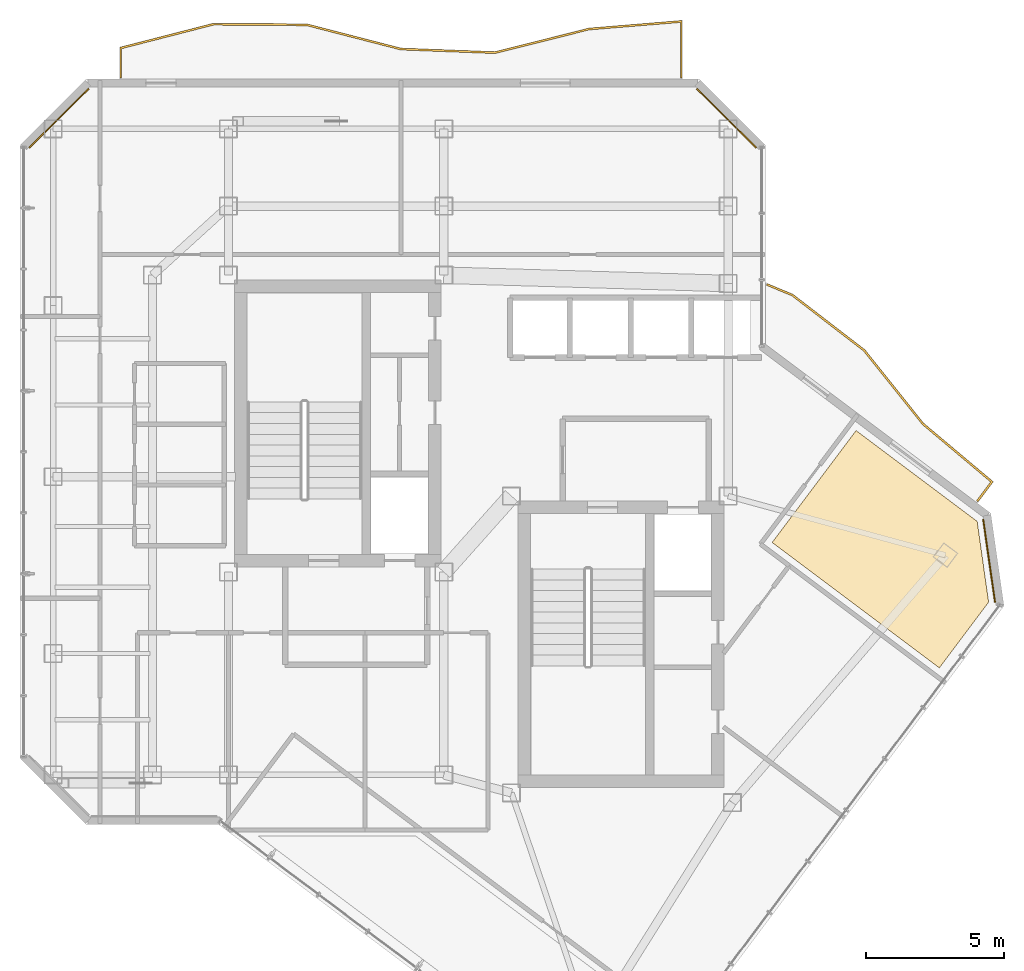
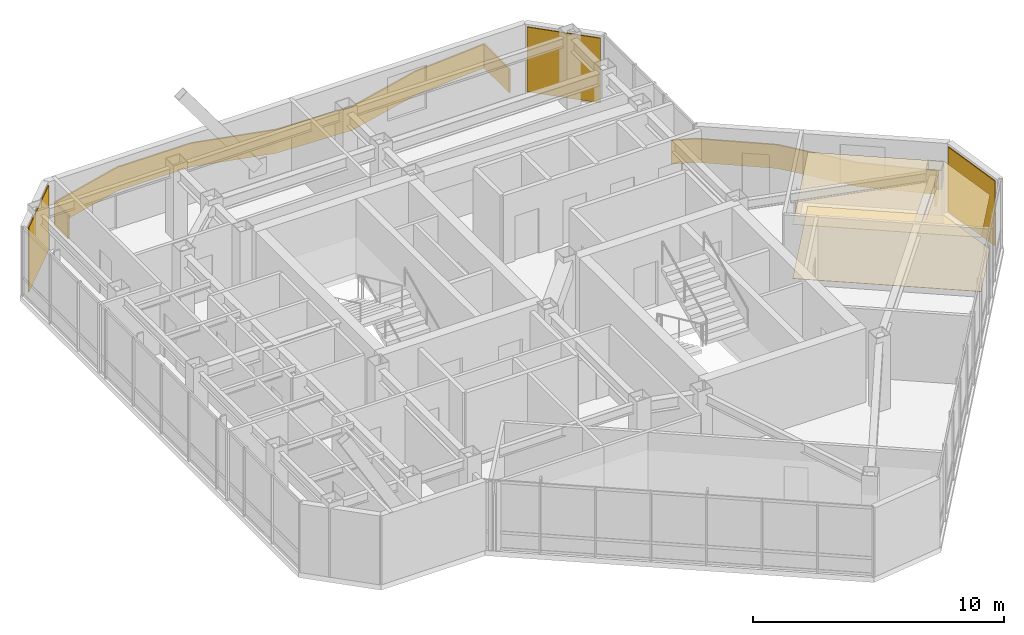
# One storey, part 22 of 22: 5 coverings, 2 railings.
"""IFC4 building model written with IfcOpenShell, lengths in metres."""

from ifc_helpers import new_model, si_unit, direction, frame, origin, origin_2d, place, context, subcontext, project, spatial, polyline, rectangle, outline, extrude, material, layer, layer_set, type_object, element, save


model = new_model("IFC4")

# Units and contexts
model_context = context("Model", 3, precision=1e-05, world=origin(), true_north=direction((0.0, 1.0)))
body_context = subcontext(model_context, "Body", "Model", "MODEL_VIEW")
ifc_project = project(units=[si_unit("LENGTHUNIT", "METRE"), si_unit("AREAUNIT", "SQUARE_METRE"), si_unit("VOLUMEUNIT", "CUBIC_METRE"), si_unit("PLANEANGLEUNIT", "RADIAN"), si_unit("MASSUNIT", "GRAM", prefix="KILO")], contexts=[model_context])

# Site, building, storey
site_placement = place(None, origin())
site = spatial("IfcSite", under=ifc_project, at=site_placement, CompositionType="ELEMENT")
building_placement = place(site_placement, origin())
building = spatial("IfcBuilding", under=site, at=building_placement, Name="Hatsunagi Terrace Concourse", CompositionType="ELEMENT")
storey_placement = place(building_placement, frame((0.0, 0.0, 243.14990234375)))
storey = spatial("IfcBuildingStorey", under=building, at=storey_placement, Name="L64", CompositionType="ELEMENT", Elevation=243.14990234375)

# Covering
ifc_material_1 = material(Name="Acoustic mineral board", Category="gypsum")
ifc_layer_1 = layer(ifc_material_1, 0.02001953125)
ifc_layer_set_1 = layer_set([ifc_layer_1], Name="AcousticMineralCeiling_20")
covering_type_1 = type_object("IfcCoveringType", Name="AcousticMineralCeiling_20", PredefinedType="CEILING", material=ifc_layer_set_1)
covering_1_placement = place(storey_placement, frame((0.0, 0.0, 2.630126953125)))
element("IfcCovering", 1, at=covering_1_placement, inside=storey, type_object=covering_type_1, Name="Suspended Ceiling L64-2", PredefinedType="CEILING", context=body_context, shape_type="SweptSolid", body=[
    extrude(outline(polyline([(52.666015625, 34.387939453125), (48.281982421875, 37.676025390625), (45.239990234375, 33.6201171875), (51.2958984375, 29.077880859375), (53.083984375, 31.4619140625), (52.666015625, 34.387939453125)])), origin(), (0.0, 0.0, 1.0), 0.02001953125),
])

# Railings
ifc_material_2 = material(Name="Laminated Glass and Stainless Steel Guard", Category="steel")
ifc_layer_2 = layer(ifc_material_2, 0.070068359375)
ifc_layer_set_2 = layer_set([ifc_layer_2], Name="BalconyGlassGuardRail_1150")
railing_type = type_object("IfcRailingType", Name="BalconyGlassGuardRail_1150", PredefinedType="BALUSTRADE", material=ifc_layer_set_2)
railing_1_placement = place(storey_placement, origin())
element("IfcRailing", 2, at=railing_1_placement, inside=storey, type_object=railing_type, Name="Engawa Balcony Guard GRD-01 L64-BN-1", PredefinedType="BALUSTRADE", context=body_context, shape_type="SweptSolid", body=[
    extrude(outline(polyline([(21.614990234375, 50.449951171875), (21.68505859375, 50.449951171875), (21.68505859375, 51.501953125), (25.01025390625, 52.35595703125), (28.388427734375, 52.3330078125), (31.787841796875, 51.456298828125), (35.208740234375, 51.32568359375), (38.61376953125, 52.181396484375), (41.9150390625, 52.451904296875), (41.9150390625, 50.449951171875), (41.985107421875, 50.449951171875), (41.985107421875, 52.528076171875), (38.602294921875, 52.25048828125), (35.201416015625, 51.396240234375), (31.798095703125, 51.52587890625), (28.397705078125, 52.403076171875), (25.001708984375, 52.426025390625), (21.614990234375, 51.55615234375), (21.614990234375, 50.449951171875)])), origin(), (0.0, 0.0, 1.0), 1.150146484375),
])
railing_2_placement = place(storey_placement, origin())
element("IfcRailing", 3, at=railing_2_placement, inside=storey, type_object=railing_type, Name="Engawa Balcony Guard GRD-01 L64-BSE-1", PredefinedType="BALUSTRADE", context=body_context, shape_type="SweptSolid", body=[
    extrude(outline(polyline([(45.059326171875, 42.998291015625), (45.03271484375, 42.93359375), (45.952392578125, 42.552490234375), (48.55126953125, 40.552734375), (50.6767578125, 37.891357421875), (53.153076171875, 35.8115234375), (52.64208984375, 35.131103515625), (52.697998046875, 35.089111328125), (53.248779296875, 35.822509765625), (50.727294921875, 37.940673828125), (48.6005859375, 40.603271484375), (45.98779296875, 42.613525390625), (45.059326171875, 42.998291015625)])), origin(), (0.0, 0.0, 1.0), 1.150146484375),
])

# Coverings
ifc_material_3 = material(Name="Hardwood timber", Category="wood")
ifc_layer_3 = layer(ifc_material_3, 0.014892578125)
ifc_layer_set_3 = layer_set([ifc_layer_3], Name="HardwoodTimberFlooring_15")
covering_type_2 = type_object("IfcCoveringType", Name="HardwoodTimberFlooring_15", PredefinedType="FLOORING", material=ifc_layer_set_3)
covering_2_placement = place(storey_placement, origin())
element("IfcCovering", 4, at=covering_2_placement, inside=storey, type_object=covering_type_2, Name="Finished Flooring L64-2", PredefinedType="FLOORING", context=body_context, shape_type="SweptSolid", body=[
    extrude(outline(polyline([(52.666015625, 34.387939453125), (48.281982421875, 37.676025390625), (45.239990234375, 33.6201171875), (51.2958984375, 29.077880859375), (53.083984375, 31.4619140625), (52.666015625, 34.387939453125)])), origin(), (0.0, 0.0, 1.0), 0.01513671875),
])
ifc_material_4 = material(Name="Unglazed Warm Terracotta Rainscreen Tile", Category="masonry")
ifc_layer_4 = layer(ifc_material_4, 0.044921875)
ifc_layer_set_4 = layer_set([ifc_layer_4], Name="TerracottaRainscreenCladding_45")
covering_type_3 = type_object("IfcCoveringType", Name="TerracottaRainscreenCladding_45", PredefinedType="CLADDING", material=ifc_layer_set_4)
for number, where, z_axis, x_axis, name in (
    (5, (53.10107421875, 32.9580078125, 0.10009765625), (0.0, 0.0, 1.0), (0.141250262458, -0.989973920543, 0.0), "Terracotta Rainscreen Cladding L64-02"),
    (6, (19.4140625, 48.986083984375, 0.10009765625), (0.0, 0.0, 1.0), (0.707106781187, 0.707106781187, 0.0), "Terracotta Rainscreen Cladding L64-09"),
    (7, (43.5859375, 48.986083984375, 0.10009765625), (0.0, 0.0, 1.0), (0.707106781187, -0.707106781187, 0.0), "Terracotta Rainscreen Cladding L64-11"),
):
    element("IfcCovering", number, at=place(storey_placement, frame(where, z_axis=z_axis, x_axis=x_axis)), inside=storey, type_object=covering_type_3, Name=name, PredefinedType="CLADDING", context=body_context, shape_type="SweptSolid", body=[
        extrude(rectangle(XDim=3.0380859375, YDim=0.044921875, at=origin_2d()), origin(), (0.0, 0.0, 1.0), 3.14990234375),
    ])

save(model, "model.ifc")
